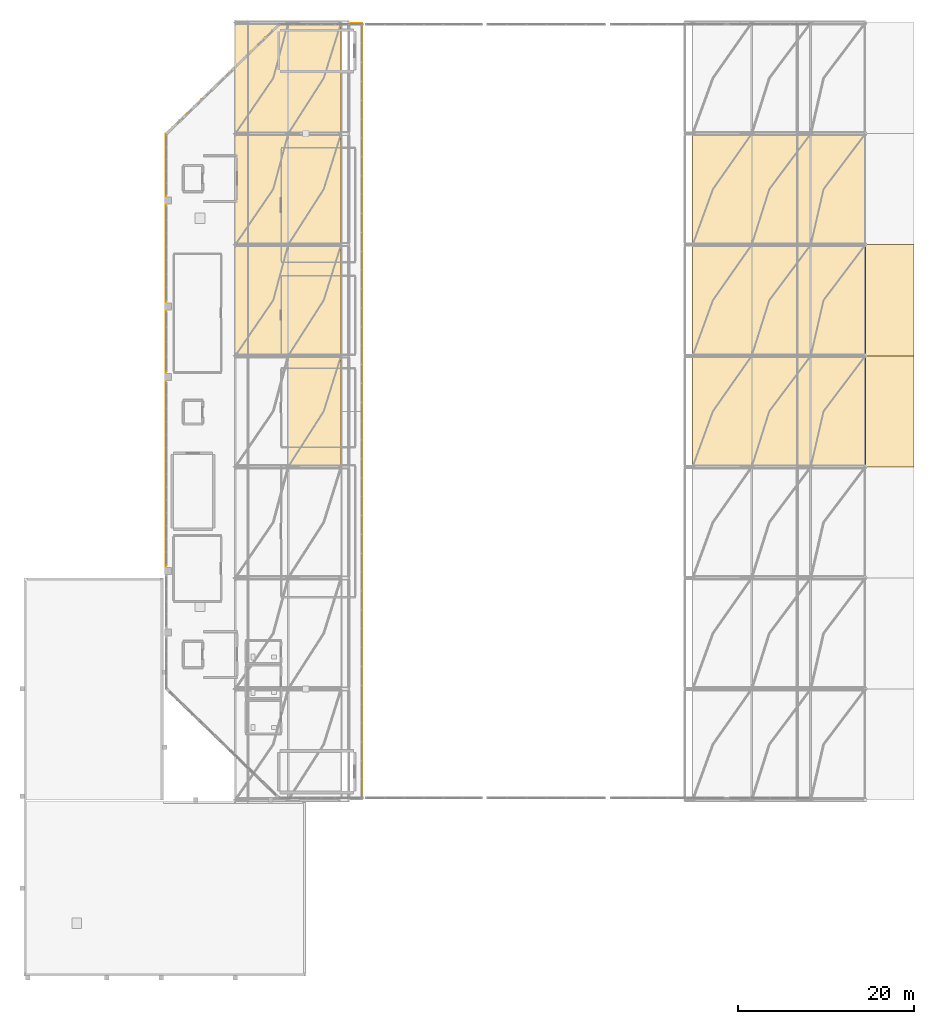
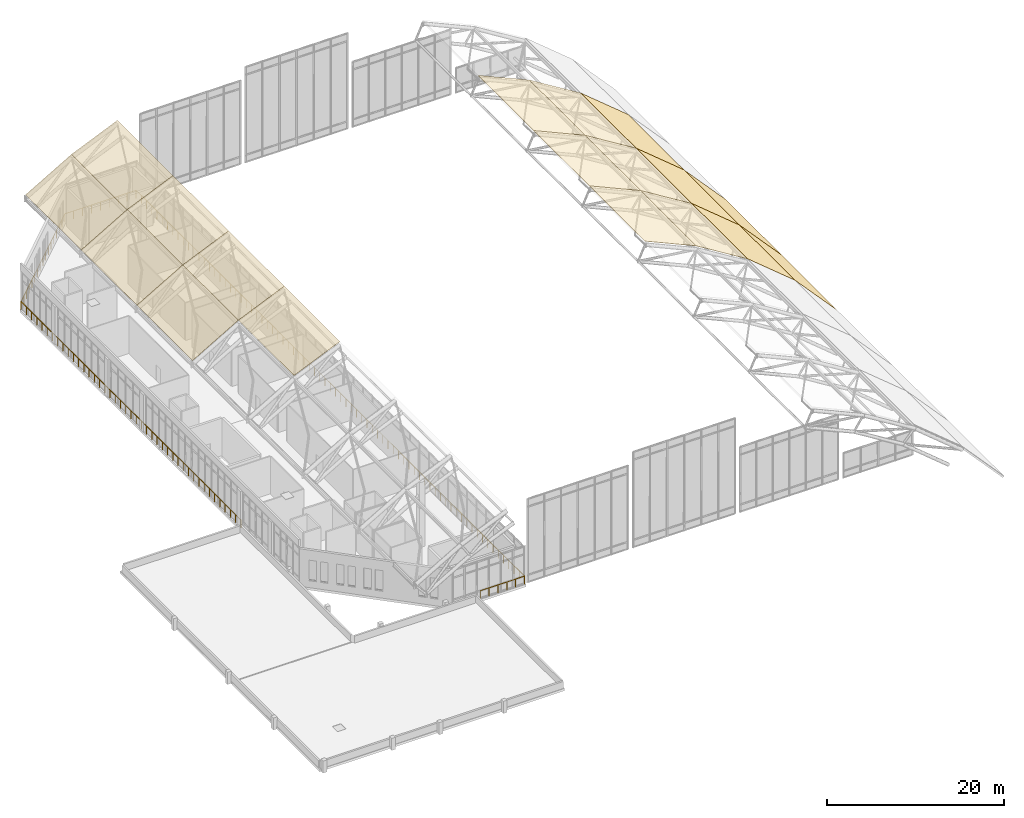
# One storey, part 40 of 42: 18 coverings, 1 railing.
"""IFC4 building model written with IfcOpenShell, lengths in metres."""

from ifc_helpers import new_model, si_unit, derived_unit, direction, frame, origin, origin_2d, place, context, subcontext, project, spatial, polyline, circle, outline, extrude, material, layer, layer_set, type_object, element, save


model = new_model("IFC4")

# Units and contexts
model_context = context("Model", 3, precision=1e-05, world=origin(), true_north=direction((0.0, 1.0)))
body_context = subcontext(model_context, "Body", "Model", "MODEL_VIEW")
ifc_project = project(units=[si_unit("LENGTHUNIT", "METRE"), si_unit("AREAUNIT", "SQUARE_METRE"), si_unit("VOLUMEUNIT", "CUBIC_METRE"), si_unit("PLANEANGLEUNIT", "RADIAN"), si_unit("MASSUNIT", "GRAM", prefix="KILO"), derived_unit("THERMALTRANSMITTANCEUNIT", [(si_unit("MASSUNIT", "GRAM", prefix="KILO"), 1), (si_unit("TIMEUNIT", "SECOND"), -3), (si_unit("THERMODYNAMICTEMPERATUREUNIT", "KELVIN"), -1)])], contexts=[model_context])

# Site, building, storey
site_placement = place(None, origin())
site = spatial("IfcSite", under=ifc_project, at=site_placement, CompositionType="ELEMENT")
building_placement = place(site_placement, origin())
building = spatial("IfcBuilding", under=site, at=building_placement, Name="Valcora Ridge Arena", CompositionType="ELEMENT")
storey_placement = place(building_placement, frame((0.0, 0.0, 26.39990234375)))
storey = spatial("IfcBuildingStorey", under=building, at=storey_placement, Name="L05", CompositionType="ELEMENT", Elevation=26.39990234375)

# Coverings
ifc_material_1 = material(Name="Weathered zinc-bronze standing-seam metal Grade Z275")
ifc_layer = layer(ifc_material_1, 0.0400390625, Name="Weathered zinc-bronze standing-seam metal Grade Z275")
ifc_layer_set = layer_set([ifc_layer], Name="Weathered zinc-bronze standing-seam metal Grade Z275")
covering_type = type_object("IfcCoveringType", Name="TY-COVERING-COV-ZINC-ARC", PredefinedType="ROOFING", material=ifc_layer_set)
covering_1_placement = place(storey_placement, frame((30.0, 57.800048828125, 8.922119140625), z_axis=(-0.397337061961, 0.0, 0.917672740792), x_axis=(0.917672740792, 0.0, 0.397337061961)))
element("IfcCovering", 1, at=covering_1_placement, inside=storey, type_object=covering_type, Name="COV-ZINC-ARC COV-RF-0044", PredefinedType="ROOFING", context=body_context, shape_type="SweptSolid", body=[
    extrude(outline(polyline([(0.0, 0.0), (6.5382785532286345, 0.0), (6.5382785532286345, 12.599853515625), (0.0, 12.599853515625), (0.0, 0.0)])), origin(), (0.0, 0.0, -1.0), 0.0400390625),
])
covering_2_placement = place(storey_placement, frame((75.89990234375, 57.800048828125, 11.416015625), z_axis=(0.408488575858, 0.0, 0.912763432327), x_axis=(0.912763432327, 0.0, -0.408488575858)))
element("IfcCovering", 2, at=covering_2_placement, inside=storey, type_object=covering_type, Name="COV-ZINC-ARC COV-RF-0051", PredefinedType="ROOFING", context=body_context, shape_type="SweptSolid", body=[
    extrude(outline(polyline([(0.0, 0.0), (7.340560626335988, 0.0), (7.340560626335988, 12.599853515625), (0.0, 12.599853515625), (0.0, 0.0)])), origin(), (0.0, 0.0, -1.0), 0.0400390625),
])
covering_3_placement = place(storey_placement, frame((82.60009765625, 57.800048828125, 8.41748046875), z_axis=(0.525423571512, 0.0, 0.850840802089), x_axis=(0.850840802089, 0.0, -0.525423571512)))
element("IfcCovering", 3, at=covering_3_placement, inside=storey, type_object=covering_type, Name="COV-ZINC-ARC COV-RF-0052", PredefinedType="ROOFING", context=body_context, shape_type="SweptSolid", body=[
    extrude(outline(polyline([(0.0, 0.0), (7.874506200718812, 0.0), (7.874506200718812, 12.599853515625), (0.0, 12.599853515625), (0.0, 0.0)])), origin(), (0.0, 0.0, -1.0), 0.0400390625),
])
covering_4_placement = place(storey_placement, frame((89.300048828125, 57.800048828125, 4.280029296875), z_axis=(0.637917681014, 0.0, 0.770104559296), x_axis=(0.770104559296, 0.0, -0.637917681014)))
element("IfcCovering", 4, at=covering_4_placement, inside=storey, type_object=covering_type, Name="COV-ZINC-ARC COV-RF-0053", PredefinedType="ROOFING", context=body_context, shape_type="SweptSolid", body=[
    extrude(outline(polyline([(0.0, 0.0), (8.050791411414252, 0.0), (8.050791411414252, 12.599853515625), (0.0, 12.599853515625), (0.0, 0.0)])), origin(), (0.0, 0.0, -1.0), 0.0400390625),
])
covering_5_placement = place(storey_placement, frame((95.5, 57.800048828125, -0.855712890625), z_axis=(0.739969795529, 0.0, 0.672640098199), x_axis=(0.672640098199, 0.0, -0.739969795529)))
element("IfcCovering", 5, at=covering_5_placement, inside=storey, type_object=covering_type, Name="COV-ZINC-ARC COV-RF-0054", PredefinedType="ROOFING", context=body_context, shape_type="SweptSolid", body=[
    extrude(outline(polyline([(0.0, 0.0), (8.17673524775775, 0.0), (8.17673524775775, 12.599853515625004), (0.0, 12.599853515625004), (0.0, 0.0)])), origin(), (0.0, 0.0, -1.0), 0.0400390625),
])
covering_6_placement = place(storey_placement, frame((24.0, 70.39990234375, 5.440185546875), z_axis=(-0.501926643599, 0.0, 0.864910194439), x_axis=(0.864910194439, 0.0, 0.501926643599)))
element("IfcCovering", 6, at=covering_6_placement, inside=storey, type_object=covering_type, Name="COV-ZINC-ARC COV-RF-0057", PredefinedType="ROOFING", context=body_context, shape_type="SweptSolid", body=[
    extrude(outline(polyline([(0.0, 0.0), (6.93713640858278, 0.0), (6.93713640858278, 12.60009765625), (0.0, 12.60009765625), (0.0, 0.0)])), origin(), (0.0, 0.0, -1.0), 0.0400390625),
])
covering_7_placement = place(storey_placement, frame((30.0, 70.39990234375, 8.922119140625), z_axis=(-0.397337061961, 0.0, 0.917672740792), x_axis=(0.917672740792, 0.0, 0.397337061961)))
element("IfcCovering", 7, at=covering_7_placement, inside=storey, type_object=covering_type, Name="COV-ZINC-ARC COV-RF-0058", PredefinedType="ROOFING", context=body_context, shape_type="SweptSolid", body=[
    extrude(outline(polyline([(0.0, 0.0), (6.5382785532286345, 0.0), (6.5382785532286345, 12.60009765625), (0.0, 12.60009765625), (0.0, 0.0)])), origin(), (0.0, 0.0, -1.0), 0.0400390625),
])
covering_8_placement = place(storey_placement, frame((75.89990234375, 70.39990234375, 11.416015625), z_axis=(0.408488575858, 0.0, 0.912763432327), x_axis=(0.912763432327, 0.0, -0.408488575858)))
element("IfcCovering", 8, at=covering_8_placement, inside=storey, type_object=covering_type, Name="COV-ZINC-ARC COV-RF-0065", PredefinedType="ROOFING", context=body_context, shape_type="SweptSolid", body=[
    extrude(outline(polyline([(0.0, 0.0), (7.340560626335988, 0.0), (7.340560626335988, 12.60009765625), (0.0, 12.60009765625), (0.0, 0.0)])), origin(), (0.0, 0.0, -1.0), 0.0400390625),
])
covering_9_placement = place(storey_placement, frame((82.60009765625, 70.39990234375, 8.41748046875), z_axis=(0.525423571512, 0.0, 0.850840802089), x_axis=(0.850840802089, 0.0, -0.525423571512)))
element("IfcCovering", 9, at=covering_9_placement, inside=storey, type_object=covering_type, Name="COV-ZINC-ARC COV-RF-0066", PredefinedType="ROOFING", context=body_context, shape_type="SweptSolid", body=[
    extrude(outline(polyline([(0.0, 0.0), (7.874506200718812, 0.0), (7.874506200718812, 12.60009765625), (0.0, 12.60009765625), (0.0, 0.0)])), origin(), (0.0, 0.0, -1.0), 0.0400390625),
])
covering_10_placement = place(storey_placement, frame((89.300048828125, 70.39990234375, 4.280029296875), z_axis=(0.637917681014, 0.0, 0.770104559296), x_axis=(0.770104559296, 0.0, -0.637917681014)))
element("IfcCovering", 10, at=covering_10_placement, inside=storey, type_object=covering_type, Name="COV-ZINC-ARC COV-RF-0067", PredefinedType="ROOFING", context=body_context, shape_type="SweptSolid", body=[
    extrude(outline(polyline([(0.0, 0.0), (8.050791411414252, 0.0), (8.050791411414252, 12.60009765625), (0.0, 12.60009765625), (0.0, 0.0)])), origin(), (0.0, 0.0, -1.0), 0.0400390625),
])
covering_11_placement = place(storey_placement, frame((95.5, 70.39990234375, -0.855712890625), z_axis=(0.739969795529, 0.0, 0.672640098199), x_axis=(0.672640098199, 0.0, -0.739969795529)))
element("IfcCovering", 11, at=covering_11_placement, inside=storey, type_object=covering_type, Name="COV-ZINC-ARC COV-RF-0068", PredefinedType="ROOFING", context=body_context, shape_type="SweptSolid", body=[
    extrude(outline(polyline([(0.0, 0.0), (8.17673524775775, 0.0), (8.17673524775775, 12.60009765625), (0.0, 12.60009765625), (0.0, 0.0)])), origin(), (0.0, 0.0, -1.0), 0.0400390625),
])
covering_12_placement = place(storey_placement, frame((24.0, 83.0, 5.440185546875), z_axis=(-0.501926643599, 0.0, 0.864910194439), x_axis=(0.864910194439, 0.0, 0.501926643599)))
element("IfcCovering", 12, at=covering_12_placement, inside=storey, type_object=covering_type, Name="COV-ZINC-ARC COV-RF-0071", PredefinedType="ROOFING", context=body_context, shape_type="SweptSolid", body=[
    extrude(outline(polyline([(0.0, 0.0), (6.93713640858278, 0.0), (6.93713640858278, 12.60009765625), (0.0, 12.60009765625), (0.0, 0.0)])), origin(), (0.0, 0.0, -1.0), 0.0400390625),
])
covering_13_placement = place(storey_placement, frame((30.0, 83.0, 8.922119140625), z_axis=(-0.397337061961, 0.0, 0.917672740792), x_axis=(0.917672740792, 0.0, 0.397337061961)))
element("IfcCovering", 13, at=covering_13_placement, inside=storey, type_object=covering_type, Name="COV-ZINC-ARC COV-RF-0072", PredefinedType="ROOFING", context=body_context, shape_type="SweptSolid", body=[
    extrude(outline(polyline([(0.0, 0.0), (6.5382785532286345, 0.0), (6.5382785532286345, 12.60009765625), (0.0, 12.60009765625), (0.0, 0.0)])), origin(), (0.0, 0.0, -1.0), 0.0400390625),
])
covering_14_placement = place(storey_placement, frame((75.89990234375, 83.0, 11.416015625), z_axis=(0.408488575858, 0.0, 0.912763432327), x_axis=(0.912763432327, 0.0, -0.408488575858)))
element("IfcCovering", 14, at=covering_14_placement, inside=storey, type_object=covering_type, Name="COV-ZINC-ARC COV-RF-0079", PredefinedType="ROOFING", context=body_context, shape_type="SweptSolid", body=[
    extrude(outline(polyline([(0.0, 0.0), (7.340560626335988, 0.0), (7.340560626335988, 12.60009765625), (0.0, 12.60009765625), (0.0, 0.0)])), origin(), (0.0, 0.0, -1.0), 0.0400390625),
])
covering_15_placement = place(storey_placement, frame((82.60009765625, 83.0, 8.41748046875), z_axis=(0.525423571512, 0.0, 0.850840802089), x_axis=(0.850840802089, 0.0, -0.525423571512)))
element("IfcCovering", 15, at=covering_15_placement, inside=storey, type_object=covering_type, Name="COV-ZINC-ARC COV-RF-0080", PredefinedType="ROOFING", context=body_context, shape_type="SweptSolid", body=[
    extrude(outline(polyline([(0.0, 0.0), (7.874506200718812, 0.0), (7.874506200718812, 12.60009765625), (0.0, 12.60009765625), (0.0, 0.0)])), origin(), (0.0, 0.0, -1.0), 0.0400390625),
])
covering_16_placement = place(storey_placement, frame((89.300048828125, 83.0, 4.280029296875), z_axis=(0.637917681014, 0.0, 0.770104559296), x_axis=(0.770104559296, 0.0, -0.637917681014)))
element("IfcCovering", 16, at=covering_16_placement, inside=storey, type_object=covering_type, Name="COV-ZINC-ARC COV-RF-0081", PredefinedType="ROOFING", context=body_context, shape_type="SweptSolid", body=[
    extrude(outline(polyline([(0.0, 0.0), (8.050791411414252, 0.0), (8.050791411414252, 12.60009765625), (0.0, 12.60009765625), (0.0, 0.0)])), origin(), (0.0, 0.0, -1.0), 0.0400390625),
])
covering_17_placement = place(storey_placement, frame((24.0, 95.60009765625, 5.440185546875), z_axis=(-0.501926643599, 0.0, 0.864910194439), x_axis=(0.864910194439, 0.0, 0.501926643599)))
element("IfcCovering", 17, at=covering_17_placement, inside=storey, type_object=covering_type, Name="COV-ZINC-ARC COV-RF-0085", PredefinedType="ROOFING", context=body_context, shape_type="SweptSolid", body=[
    extrude(outline(polyline([(0.0, 0.0), (6.93713640858278, 0.0), (6.93713640858278, 12.599853515625), (0.0, 12.599853515625), (0.0, 0.0)])), origin(), (0.0, 0.0, -1.0), 0.0400390625),
])
covering_18_placement = place(storey_placement, frame((30.0, 95.60009765625, 8.922119140625), z_axis=(-0.397337061961, 0.0, 0.917672740792), x_axis=(0.917672740792, 0.0, 0.397337061961)))
element("IfcCovering", 18, at=covering_18_placement, inside=storey, type_object=covering_type, Name="COV-ZINC-ARC COV-RF-0086", PredefinedType="ROOFING", context=body_context, shape_type="SweptSolid", body=[
    extrude(outline(polyline([(0.0, 0.0), (6.5382785532286345, 0.0), (6.5382785532286345, 12.599853515625), (0.0, 12.599853515625), (0.0, 0.0)])), origin(), (0.0, 0.0, -1.0), 0.0400390625),
])

# Railing
ifc_material_2 = material(Name="Galvanized painted steel ASTM A500 Grade B", Category="steel")
railing_type = type_object("IfcRailingType", Name="TY-RAILING-GRD-VOID-1120", PredefinedType="GUARDRAIL", material=ifc_material_2)
railing_placement = place(storey_placement, frame((16.1201171875, 45.800048828125, 0.0)))
element("IfcRailing", 19, at=railing_placement, inside=storey, type_object=railing_type, Name="GRD-VOID-1120 RAL-DK-0017", PredefinedType="GUARDRAIL", context=body_context, shape_type="SweptSolid", body=[
    extrude(circle(Radius=0.02392578125, at=origin_2d()), frame((0.0, 0.0, 1.09619140625), z_axis=(0.0, 1.0, 0.0), x_axis=(-1.0, 0.0, 0.0)), (0.0, 0.0, 1.0), 49.749267578125),
    extrude(circle(Radius=0.02392578125, at=origin_2d()), frame((0.0, 49.749267578125, 1.09619140625), z_axis=(0.718065068839, 0.695975974379, 0.0), x_axis=(-0.695975974379, 0.718065068839, 0.0)), (0.0, 0.0, 1.0), 18.004638671875),
    extrude(circle(Radius=0.02392578125, at=origin_2d()), frame((12.928466796875, 62.280029296875, 1.09619140625), z_axis=(1.0, 0.0, 0.0), x_axis=(0.0, 1.0, 0.0)), (0.0, 0.0, 1.0), 9.331298828125),
    extrude(circle(Radius=0.02392578125, at=origin_2d()), frame((22.259765625, 62.280029296875, 1.09619140625), z_axis=(0.0, -1.0, 0.0), x_axis=(1.0, 0.0, 0.0)), (0.0, 0.0, 1.0), 87.9599609375),
    extrude(circle(Radius=0.02392578125, at=origin_2d()), frame((22.259765625, -25.679931640625, 1.09619140625), z_axis=(-1.0, 0.0, 0.0), x_axis=(0.0, -1.0, 0.0)), (0.0, 0.0, 1.0), 5.77978515625),
    extrude(circle(Radius=0.02099609375, at=origin_2d()), origin(), (0.0, 0.0, 1.0), 1.072021484375),
    extrude(circle(Radius=0.02099609375, at=origin_2d()), frame((0.0, 1.1845703125, 0.0)), (0.0, 0.0, 1.0), 1.072021484375),
    extrude(circle(Radius=0.02099609375, at=origin_2d()), frame((0.0, 2.368896484375, 0.0)), (0.0, 0.0, 1.0), 1.072021484375),
    extrude(circle(Radius=0.02099609375, at=origin_2d()), frame((0.0, 3.553466796875, 0.0)), (0.0, 0.0, 1.0), 1.072021484375),
    extrude(circle(Radius=0.02099609375, at=origin_2d()), frame((0.0, 4.738037109375, 0.0)), (0.0, 0.0, 1.0), 1.072021484375),
    extrude(circle(Radius=0.02099609375, at=origin_2d()), frame((0.0, 5.922607421875, 0.0)), (0.0, 0.0, 1.0), 1.072021484375),
    extrude(circle(Radius=0.02099609375, at=origin_2d()), frame((0.0, 7.10693359375, 0.0)), (0.0, 0.0, 1.0), 1.072021484375),
    extrude(circle(Radius=0.02099609375, at=origin_2d()), frame((0.0, 8.29150390625, 0.0)), (0.0, 0.0, 1.0), 1.072021484375),
    extrude(circle(Radius=0.02099609375, at=origin_2d()), frame((0.0, 9.47607421875, 0.0)), (0.0, 0.0, 1.0), 1.072021484375),
    extrude(circle(Radius=0.02099609375, at=origin_2d()), frame((0.0, 10.66064453125, 0.0)), (0.0, 0.0, 1.0), 1.072021484375),
    extrude(circle(Radius=0.02099609375, at=origin_2d()), frame((0.0, 11.844970703125, 0.0)), (0.0, 0.0, 1.0), 1.072021484375),
    extrude(circle(Radius=0.02099609375, at=origin_2d()), frame((0.0, 13.029541015625, 0.0)), (0.0, 0.0, 1.0), 1.072021484375),
    extrude(circle(Radius=0.02099609375, at=origin_2d()), frame((0.0, 14.214111328125, 0.0)), (0.0, 0.0, 1.0), 1.072021484375),
    extrude(circle(Radius=0.02099609375, at=origin_2d()), frame((0.0, 15.398681640625, 0.0)), (0.0, 0.0, 1.0), 1.072021484375),
    extrude(circle(Radius=0.02099609375, at=origin_2d()), frame((0.0, 16.5830078125, 0.0)), (0.0, 0.0, 1.0), 1.072021484375),
    extrude(circle(Radius=0.02099609375, at=origin_2d()), frame((0.0, 17.767578125, 0.0)), (0.0, 0.0, 1.0), 1.072021484375),
    extrude(circle(Radius=0.02099609375, at=origin_2d()), frame((0.0, 18.9521484375, 0.0)), (0.0, 0.0, 1.0), 1.072021484375),
    extrude(circle(Radius=0.02099609375, at=origin_2d()), frame((0.0, 20.13671875, 0.0)), (0.0, 0.0, 1.0), 1.072021484375),
    extrude(circle(Radius=0.02099609375, at=origin_2d()), frame((0.0, 21.321044921875, 0.0)), (0.0, 0.0, 1.0), 1.072021484375),
    extrude(circle(Radius=0.02099609375, at=origin_2d()), frame((0.0, 22.505615234375, 0.0)), (0.0, 0.0, 1.0), 1.072021484375),
    extrude(circle(Radius=0.02099609375, at=origin_2d()), frame((0.0, 23.690185546875, 0.0)), (0.0, 0.0, 1.0), 1.072021484375),
    extrude(circle(Radius=0.02099609375, at=origin_2d()), frame((0.0, 24.87451171875, 0.0)), (0.0, 0.0, 1.0), 1.072021484375),
    extrude(circle(Radius=0.02099609375, at=origin_2d()), frame((0.0, 26.05908203125, 0.0)), (0.0, 0.0, 1.0), 1.072021484375),
    extrude(circle(Radius=0.02099609375, at=origin_2d()), frame((0.0, 27.24365234375, 0.0)), (0.0, 0.0, 1.0), 1.072021484375),
    extrude(circle(Radius=0.02099609375, at=origin_2d()), frame((0.0, 28.42822265625, 0.0)), (0.0, 0.0, 1.0), 1.072021484375),
    extrude(circle(Radius=0.02099609375, at=origin_2d()), frame((0.0, 29.612548828125, 0.0)), (0.0, 0.0, 1.0), 1.072021484375),
    extrude(circle(Radius=0.02099609375, at=origin_2d()), frame((0.0, 30.797119140625, 0.0)), (0.0, 0.0, 1.0), 1.072021484375),
    extrude(circle(Radius=0.02099609375, at=origin_2d()), frame((0.0, 31.981689453125, 0.0)), (0.0, 0.0, 1.0), 1.072021484375),
    extrude(circle(Radius=0.02099609375, at=origin_2d()), frame((0.0, 33.166259765625, 0.0)), (0.0, 0.0, 1.0), 1.072021484375),
    extrude(circle(Radius=0.02099609375, at=origin_2d()), frame((0.0, 34.3505859375, 0.0)), (0.0, 0.0, 1.0), 1.072021484375),
    extrude(circle(Radius=0.02099609375, at=origin_2d()), frame((0.0, 35.53515625, 0.0)), (0.0, 0.0, 1.0), 1.072021484375),
    extrude(circle(Radius=0.02099609375, at=origin_2d()), frame((0.0, 36.7197265625, 0.0)), (0.0, 0.0, 1.0), 1.072021484375),
    extrude(circle(Radius=0.02099609375, at=origin_2d()), frame((0.0, 37.904296875, 0.0)), (0.0, 0.0, 1.0), 1.072021484375),
    extrude(circle(Radius=0.02099609375, at=origin_2d()), frame((0.0, 39.088623046875, 0.0)), (0.0, 0.0, 1.0), 1.072021484375),
    extrude(circle(Radius=0.02099609375, at=origin_2d()), frame((0.0, 40.273193359375, 0.0)), (0.0, 0.0, 1.0), 1.072021484375),
    extrude(circle(Radius=0.02099609375, at=origin_2d()), frame((0.0, 41.457763671875, 0.0)), (0.0, 0.0, 1.0), 1.072021484375),
    extrude(circle(Radius=0.02099609375, at=origin_2d()), frame((0.0, 42.642333984375, 0.0)), (0.0, 0.0, 1.0), 1.072021484375),
    extrude(circle(Radius=0.02099609375, at=origin_2d()), frame((0.0, 43.82666015625, 0.0)), (0.0, 0.0, 1.0), 1.072021484375),
    extrude(circle(Radius=0.02099609375, at=origin_2d()), frame((0.0, 45.01123046875, 0.0)), (0.0, 0.0, 1.0), 1.072021484375),
    extrude(circle(Radius=0.02099609375, at=origin_2d()), frame((0.0, 46.19580078125, 0.0)), (0.0, 0.0, 1.0), 1.072021484375),
    extrude(circle(Radius=0.02099609375, at=origin_2d()), frame((0.0, 47.38037109375, 0.0)), (0.0, 0.0, 1.0), 1.072021484375),
    extrude(circle(Radius=0.02099609375, at=origin_2d()), frame((0.0, 48.564697265625, 0.0)), (0.0, 0.0, 1.0), 1.072021484375),
    extrude(circle(Radius=0.02099609375, at=origin_2d()), frame((0.0, 49.749267578125, 0.0)), (0.0, 0.0, 1.0), 1.072021484375),
    extrude(circle(Radius=0.02099609375, at=origin_2d()), frame((0.80810546875, 50.532470703125, 0.0)), (0.0, 0.0, 1.0), 1.072021484375),
    extrude(circle(Radius=0.02099609375, at=origin_2d()), frame((1.615966796875, 51.315673828125, 0.0)), (0.0, 0.0, 1.0), 1.072021484375),
    extrude(circle(Radius=0.02099609375, at=origin_2d()), frame((2.424072265625, 52.098876953125, 0.0)), (0.0, 0.0, 1.0), 1.072021484375),
    extrude(circle(Radius=0.02099609375, at=origin_2d()), frame((3.232177734375, 52.8818359375, 0.0)), (0.0, 0.0, 1.0), 1.072021484375),
    extrude(circle(Radius=0.02099609375, at=origin_2d()), frame((4.0400390625, 53.6650390625, 0.0)), (0.0, 0.0, 1.0), 1.072021484375),
    extrude(circle(Radius=0.02099609375, at=origin_2d()), frame((4.84814453125, 54.4482421875, 0.0)), (0.0, 0.0, 1.0), 1.072021484375),
    extrude(circle(Radius=0.02099609375, at=origin_2d()), frame((5.65625, 55.2314453125, 0.0)), (0.0, 0.0, 1.0), 1.072021484375),
    extrude(circle(Radius=0.02099609375, at=origin_2d()), frame((6.46435546875, 56.0146484375, 0.0)), (0.0, 0.0, 1.0), 1.072021484375),
    extrude(circle(Radius=0.02099609375, at=origin_2d()), frame((7.272216796875, 56.7978515625, 0.0)), (0.0, 0.0, 1.0), 1.072021484375),
    extrude(circle(Radius=0.02099609375, at=origin_2d()), frame((8.080322265625, 57.5810546875, 0.0)), (0.0, 0.0, 1.0), 1.072021484375),
    extrude(circle(Radius=0.02099609375, at=origin_2d()), frame((8.888427734375, 58.3642578125, 0.0)), (0.0, 0.0, 1.0), 1.072021484375),
    extrude(circle(Radius=0.02099609375, at=origin_2d()), frame((9.6962890625, 59.1474609375, 0.0)), (0.0, 0.0, 1.0), 1.072021484375),
    extrude(circle(Radius=0.02099609375, at=origin_2d()), frame((10.50439453125, 59.930419921875, 0.0)), (0.0, 0.0, 1.0), 1.072021484375),
    extrude(circle(Radius=0.02099609375, at=origin_2d()), frame((11.3125, 60.713623046875, 0.0)), (0.0, 0.0, 1.0), 1.072021484375),
    extrude(circle(Radius=0.02099609375, at=origin_2d()), frame((12.120361328125, 61.496826171875, 0.0)), (0.0, 0.0, 1.0), 1.072021484375),
    extrude(circle(Radius=0.02099609375, at=origin_2d()), frame((12.928466796875, 62.280029296875, 0.0)), (0.0, 0.0, 1.0), 1.072021484375),
    extrude(circle(Radius=0.02099609375, at=origin_2d()), frame((14.094970703125, 62.280029296875, 0.0)), (0.0, 0.0, 1.0), 1.072021484375),
    extrude(circle(Radius=0.02099609375, at=origin_2d()), frame((15.26123046875, 62.280029296875, 0.0)), (0.0, 0.0, 1.0), 1.072021484375),
    extrude(circle(Radius=0.02099609375, at=origin_2d()), frame((16.427734375, 62.280029296875, 0.0)), (0.0, 0.0, 1.0), 1.072021484375),
    extrude(circle(Radius=0.02099609375, at=origin_2d()), frame((17.59423828125, 62.280029296875, 0.0)), (0.0, 0.0, 1.0), 1.072021484375),
    extrude(circle(Radius=0.02099609375, at=origin_2d()), frame((18.760498046875, 62.280029296875, 0.0)), (0.0, 0.0, 1.0), 1.072021484375),
    extrude(circle(Radius=0.02099609375, at=origin_2d()), frame((19.927001953125, 62.280029296875, 0.0)), (0.0, 0.0, 1.0), 1.072021484375),
    extrude(circle(Radius=0.02099609375, at=origin_2d()), frame((21.09326171875, 62.280029296875, 0.0)), (0.0, 0.0, 1.0), 1.072021484375),
    extrude(circle(Radius=0.02099609375, at=origin_2d()), frame((22.259765625, 62.280029296875, 0.0)), (0.0, 0.0, 1.0), 1.072021484375),
    extrude(circle(Radius=0.02099609375, at=origin_2d()), frame((22.259765625, 61.09130859375, 0.0)), (0.0, 0.0, 1.0), 1.072021484375),
    extrude(circle(Radius=0.02099609375, at=origin_2d()), frame((22.259765625, 59.90283203125, 0.0)), (0.0, 0.0, 1.0), 1.072021484375),
    extrude(circle(Radius=0.02099609375, at=origin_2d()), frame((22.259765625, 58.714111328125, 0.0)), (0.0, 0.0, 1.0), 1.072021484375),
    extrude(circle(Radius=0.02099609375, at=origin_2d()), frame((22.259765625, 57.525390625, 0.0)), (0.0, 0.0, 1.0), 1.072021484375),
    extrude(circle(Radius=0.02099609375, at=origin_2d()), frame((22.259765625, 56.336669921875, 0.0)), (0.0, 0.0, 1.0), 1.072021484375),
    extrude(circle(Radius=0.02099609375, at=origin_2d()), frame((22.259765625, 55.148193359375, 0.0)), (0.0, 0.0, 1.0), 1.072021484375),
    extrude(circle(Radius=0.02099609375, at=origin_2d()), frame((22.259765625, 53.95947265625, 0.0)), (0.0, 0.0, 1.0), 1.072021484375),
    extrude(circle(Radius=0.02099609375, at=origin_2d()), frame((22.259765625, 52.770751953125, 0.0)), (0.0, 0.0, 1.0), 1.072021484375),
    extrude(circle(Radius=0.02099609375, at=origin_2d()), frame((22.259765625, 51.582275390625, 0.0)), (0.0, 0.0, 1.0), 1.072021484375),
    extrude(circle(Radius=0.02099609375, at=origin_2d()), frame((22.259765625, 50.3935546875, 0.0)), (0.0, 0.0, 1.0), 1.072021484375),
    extrude(circle(Radius=0.02099609375, at=origin_2d()), frame((22.259765625, 49.204833984375, 0.0)), (0.0, 0.0, 1.0), 1.072021484375),
    extrude(circle(Radius=0.02099609375, at=origin_2d()), frame((22.259765625, 48.016357421875, 0.0)), (0.0, 0.0, 1.0), 1.072021484375),
    extrude(circle(Radius=0.02099609375, at=origin_2d()), frame((22.259765625, 46.82763671875, 0.0)), (0.0, 0.0, 1.0), 1.072021484375),
    extrude(circle(Radius=0.02099609375, at=origin_2d()), frame((22.259765625, 45.638916015625, 0.0)), (0.0, 0.0, 1.0), 1.072021484375),
    extrude(circle(Radius=0.02099609375, at=origin_2d()), frame((22.259765625, 44.4501953125, 0.0)), (0.0, 0.0, 1.0), 1.072021484375),
    extrude(circle(Radius=0.02099609375, at=origin_2d()), frame((22.259765625, 43.26171875, 0.0)), (0.0, 0.0, 1.0), 1.072021484375),
    extrude(circle(Radius=0.02099609375, at=origin_2d()), frame((22.259765625, 42.072998046875, 0.0)), (0.0, 0.0, 1.0), 1.072021484375),
    extrude(circle(Radius=0.02099609375, at=origin_2d()), frame((22.259765625, 40.88427734375, 0.0)), (0.0, 0.0, 1.0), 1.072021484375),
    extrude(circle(Radius=0.02099609375, at=origin_2d()), frame((22.259765625, 39.69580078125, 0.0)), (0.0, 0.0, 1.0), 1.072021484375),
    extrude(circle(Radius=0.02099609375, at=origin_2d()), frame((22.259765625, 38.507080078125, 0.0)), (0.0, 0.0, 1.0), 1.072021484375),
    extrude(circle(Radius=0.02099609375, at=origin_2d()), frame((22.259765625, 37.318359375, 0.0)), (0.0, 0.0, 1.0), 1.072021484375),
    extrude(circle(Radius=0.02099609375, at=origin_2d()), frame((22.259765625, 36.1298828125, 0.0)), (0.0, 0.0, 1.0), 1.072021484375),
    extrude(circle(Radius=0.02099609375, at=origin_2d()), frame((22.259765625, 34.941162109375, 0.0)), (0.0, 0.0, 1.0), 1.072021484375),
    extrude(circle(Radius=0.02099609375, at=origin_2d()), frame((22.259765625, 33.75244140625, 0.0)), (0.0, 0.0, 1.0), 1.072021484375),
    extrude(circle(Radius=0.02099609375, at=origin_2d()), frame((22.259765625, 32.563720703125, 0.0)), (0.0, 0.0, 1.0), 1.072021484375),
    extrude(circle(Radius=0.02099609375, at=origin_2d()), frame((22.259765625, 31.375244140625, 0.0)), (0.0, 0.0, 1.0), 1.072021484375),
    extrude(circle(Radius=0.02099609375, at=origin_2d()), frame((22.259765625, 30.1865234375, 0.0)), (0.0, 0.0, 1.0), 1.072021484375),
    extrude(circle(Radius=0.02099609375, at=origin_2d()), frame((22.259765625, 28.997802734375, 0.0)), (0.0, 0.0, 1.0), 1.072021484375),
    extrude(circle(Radius=0.02099609375, at=origin_2d()), frame((22.259765625, 27.809326171875, 0.0)), (0.0, 0.0, 1.0), 1.072021484375),
    extrude(circle(Radius=0.02099609375, at=origin_2d()), frame((22.259765625, 26.62060546875, 0.0)), (0.0, 0.0, 1.0), 1.072021484375),
    extrude(circle(Radius=0.02099609375, at=origin_2d()), frame((22.259765625, 25.431884765625, 0.0)), (0.0, 0.0, 1.0), 1.072021484375),
    extrude(circle(Radius=0.02099609375, at=origin_2d()), frame((22.259765625, 24.243408203125, 0.0)), (0.0, 0.0, 1.0), 1.072021484375),
    extrude(circle(Radius=0.02099609375, at=origin_2d()), frame((22.259765625, 23.0546875, 0.0)), (0.0, 0.0, 1.0), 1.072021484375),
    extrude(circle(Radius=0.02099609375, at=origin_2d()), frame((22.259765625, 21.865966796875, 0.0)), (0.0, 0.0, 1.0), 1.072021484375),
    extrude(circle(Radius=0.02099609375, at=origin_2d()), frame((22.259765625, 20.67724609375, 0.0)), (0.0, 0.0, 1.0), 1.072021484375),
    extrude(circle(Radius=0.02099609375, at=origin_2d()), frame((22.259765625, 19.48876953125, 0.0)), (0.0, 0.0, 1.0), 1.072021484375),
    extrude(circle(Radius=0.02099609375, at=origin_2d()), frame((22.259765625, 18.300048828125, 0.0)), (0.0, 0.0, 1.0), 1.072021484375),
    extrude(circle(Radius=0.02099609375, at=origin_2d()), frame((22.259765625, 17.111328125, 0.0)), (0.0, 0.0, 1.0), 1.072021484375),
    extrude(circle(Radius=0.02099609375, at=origin_2d()), frame((22.259765625, 15.9228515625, 0.0)), (0.0, 0.0, 1.0), 1.072021484375),
    extrude(circle(Radius=0.02099609375, at=origin_2d()), frame((22.259765625, 14.734130859375, 0.0)), (0.0, 0.0, 1.0), 1.072021484375),
    extrude(circle(Radius=0.02099609375, at=origin_2d()), frame((22.259765625, 13.54541015625, 0.0)), (0.0, 0.0, 1.0), 1.072021484375),
    extrude(circle(Radius=0.02099609375, at=origin_2d()), frame((22.259765625, 12.356689453125, 0.0)), (0.0, 0.0, 1.0), 1.072021484375),
    extrude(circle(Radius=0.02099609375, at=origin_2d()), frame((22.259765625, 11.168212890625, 0.0)), (0.0, 0.0, 1.0), 1.072021484375),
    extrude(circle(Radius=0.02099609375, at=origin_2d()), frame((22.259765625, 9.9794921875, 0.0)), (0.0, 0.0, 1.0), 1.072021484375),
    extrude(circle(Radius=0.02099609375, at=origin_2d()), frame((22.259765625, 8.790771484375, 0.0)), (0.0, 0.0, 1.0), 1.072021484375),
    extrude(circle(Radius=0.02099609375, at=origin_2d()), frame((22.259765625, 7.602294921875, 0.0)), (0.0, 0.0, 1.0), 1.072021484375),
    extrude(circle(Radius=0.02099609375, at=origin_2d()), frame((22.259765625, 6.41357421875, 0.0)), (0.0, 0.0, 1.0), 1.072021484375),
    extrude(circle(Radius=0.02099609375, at=origin_2d()), frame((22.259765625, 5.224853515625, 0.0)), (0.0, 0.0, 1.0), 1.072021484375),
    extrude(circle(Radius=0.02099609375, at=origin_2d()), frame((22.259765625, 4.036376953125, 0.0)), (0.0, 0.0, 1.0), 1.072021484375),
    extrude(circle(Radius=0.02099609375, at=origin_2d()), frame((22.259765625, 2.84765625, 0.0)), (0.0, 0.0, 1.0), 1.072021484375),
    extrude(circle(Radius=0.02099609375, at=origin_2d()), frame((22.259765625, 1.658935546875, 0.0)), (0.0, 0.0, 1.0), 1.072021484375),
    extrude(circle(Radius=0.02099609375, at=origin_2d()), frame((22.259765625, 0.47021484375, 0.0)), (0.0, 0.0, 1.0), 1.072021484375),
    extrude(circle(Radius=0.02099609375, at=origin_2d()), frame((22.259765625, -0.71826171875, 0.0)), (0.0, 0.0, 1.0), 1.072021484375),
    extrude(circle(Radius=0.02099609375, at=origin_2d()), frame((22.259765625, -1.906982421875, 0.0)), (0.0, 0.0, 1.0), 1.072021484375),
    extrude(circle(Radius=0.02099609375, at=origin_2d()), frame((22.259765625, -3.095703125, 0.0)), (0.0, 0.0, 1.0), 1.072021484375),
    extrude(circle(Radius=0.02099609375, at=origin_2d()), frame((22.259765625, -4.2841796875, 0.0)), (0.0, 0.0, 1.0), 1.072021484375),
    extrude(circle(Radius=0.02099609375, at=origin_2d()), frame((22.259765625, -5.472900390625, 0.0)), (0.0, 0.0, 1.0), 1.072021484375),
    extrude(circle(Radius=0.02099609375, at=origin_2d()), frame((22.259765625, -6.66162109375, 0.0)), (0.0, 0.0, 1.0), 1.072021484375),
    extrude(circle(Radius=0.02099609375, at=origin_2d()), frame((22.259765625, -7.85009765625, 0.0)), (0.0, 0.0, 1.0), 1.072021484375),
    extrude(circle(Radius=0.02099609375, at=origin_2d()), frame((22.259765625, -9.038818359375, 0.0)), (0.0, 0.0, 1.0), 1.072021484375),
    extrude(circle(Radius=0.02099609375, at=origin_2d()), frame((22.259765625, -10.2275390625, 0.0)), (0.0, 0.0, 1.0), 1.072021484375),
    extrude(circle(Radius=0.02099609375, at=origin_2d()), frame((22.259765625, -11.416259765625, 0.0)), (0.0, 0.0, 1.0), 1.072021484375),
    extrude(circle(Radius=0.02099609375, at=origin_2d()), frame((22.259765625, -12.604736328125, 0.0)), (0.0, 0.0, 1.0), 1.072021484375),
    extrude(circle(Radius=0.02099609375, at=origin_2d()), frame((22.259765625, -13.79345703125, 0.0)), (0.0, 0.0, 1.0), 1.072021484375),
    extrude(circle(Radius=0.02099609375, at=origin_2d()), frame((22.259765625, -14.982177734375, 0.0)), (0.0, 0.0, 1.0), 1.072021484375),
    extrude(circle(Radius=0.02099609375, at=origin_2d()), frame((22.259765625, -16.170654296875, 0.0)), (0.0, 0.0, 1.0), 1.072021484375),
    extrude(circle(Radius=0.02099609375, at=origin_2d()), frame((22.259765625, -17.359375, 0.0)), (0.0, 0.0, 1.0), 1.072021484375),
    extrude(circle(Radius=0.02099609375, at=origin_2d()), frame((22.259765625, -18.548095703125, 0.0)), (0.0, 0.0, 1.0), 1.072021484375),
    extrude(circle(Radius=0.02099609375, at=origin_2d()), frame((22.259765625, -19.736572265625, 0.0)), (0.0, 0.0, 1.0), 1.072021484375),
    extrude(circle(Radius=0.02099609375, at=origin_2d()), frame((22.259765625, -20.92529296875, 0.0)), (0.0, 0.0, 1.0), 1.072021484375),
    extrude(circle(Radius=0.02099609375, at=origin_2d()), frame((22.259765625, -22.114013671875, 0.0)), (0.0, 0.0, 1.0), 1.072021484375),
    extrude(circle(Radius=0.02099609375, at=origin_2d()), frame((22.259765625, -23.302734375, 0.0)), (0.0, 0.0, 1.0), 1.072021484375),
    extrude(circle(Radius=0.02099609375, at=origin_2d()), frame((22.259765625, -24.4912109375, 0.0)), (0.0, 0.0, 1.0), 1.072021484375),
    extrude(circle(Radius=0.02099609375, at=origin_2d()), frame((22.259765625, -25.679931640625, 0.0)), (0.0, 0.0, 1.0), 1.072021484375),
    extrude(circle(Radius=0.02099609375, at=origin_2d()), frame((21.103759765625, -25.679931640625, 0.0)), (0.0, 0.0, 1.0), 1.072021484375),
    extrude(circle(Radius=0.02099609375, at=origin_2d()), frame((19.94775390625, -25.679931640625, 0.0)), (0.0, 0.0, 1.0), 1.072021484375),
    extrude(circle(Radius=0.02099609375, at=origin_2d()), frame((18.7919921875, -25.679931640625, 0.0)), (0.0, 0.0, 1.0), 1.072021484375),
    extrude(circle(Radius=0.02099609375, at=origin_2d()), frame((17.635986328125, -25.679931640625, 0.0)), (0.0, 0.0, 1.0), 1.072021484375),
    extrude(circle(Radius=0.02099609375, at=origin_2d()), frame((16.47998046875, -25.679931640625, 0.0)), (0.0, 0.0, 1.0), 1.072021484375),
])

save(model, "model.ifc")
